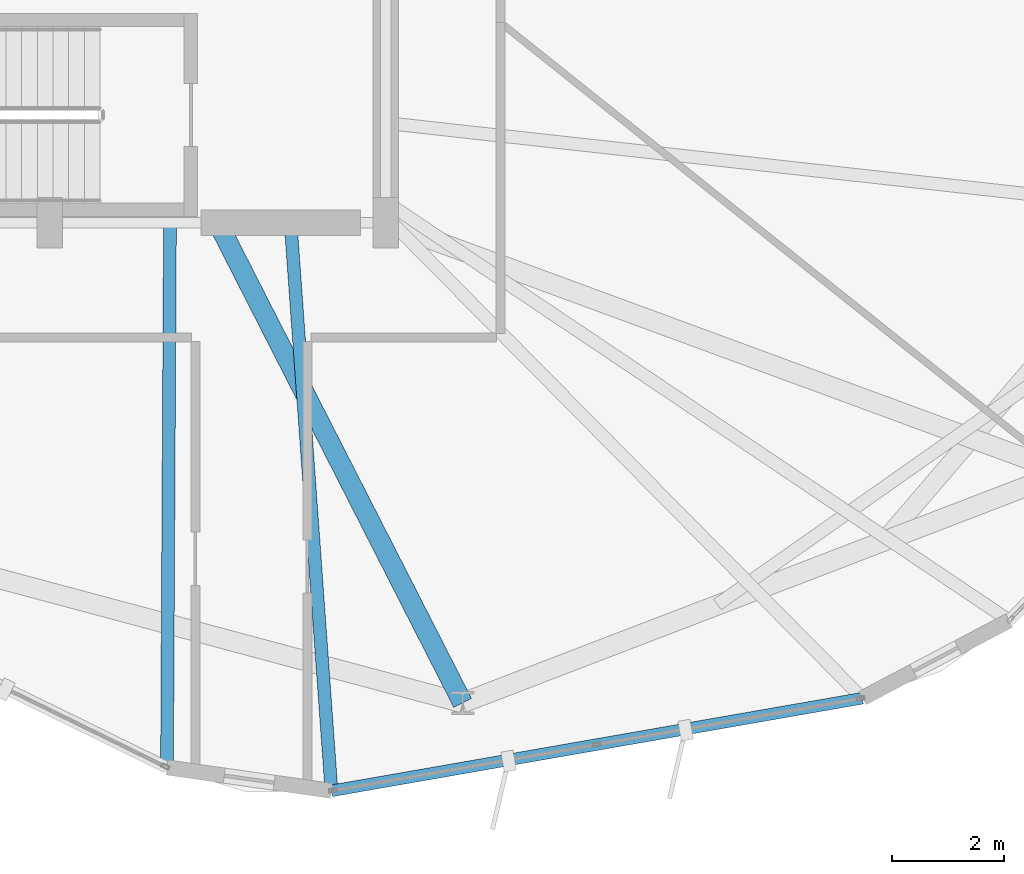
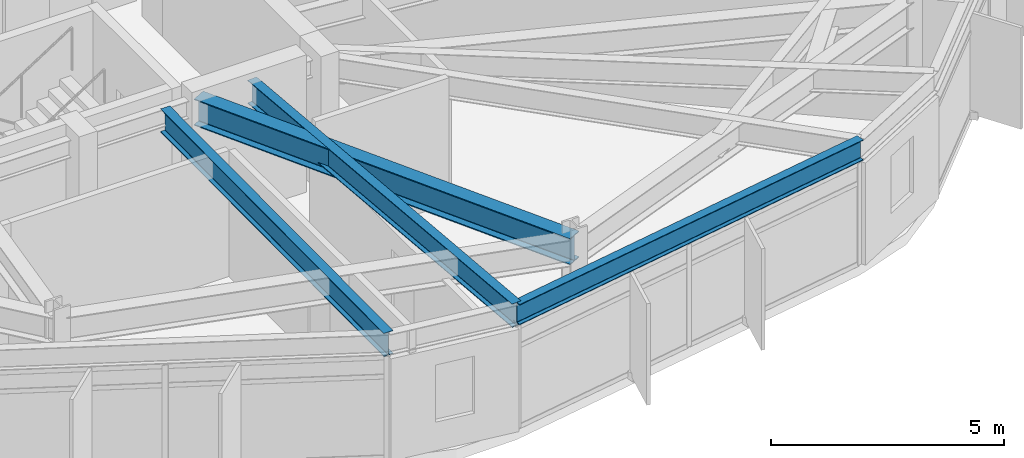
# One storey, part 6 of 28: 4 beams.
"""IFC4 building model written with IfcOpenShell, lengths in metres."""

from ifc_helpers import new_model, si_unit, direction, frame, origin, origin_2d, place, context, subcontext, project, spatial, i_section, extrude, material, material_profile, profile_set, type_object, element, save


model = new_model("IFC4")

# Units and contexts
model_context = context("Model", 3, precision=1e-05, world=origin(), true_north=direction((0.0, 1.0)))
body_context = subcontext(model_context, "Body", "Model", "MODEL_VIEW")
ifc_project = project(units=[si_unit("LENGTHUNIT", "METRE"), si_unit("AREAUNIT", "SQUARE_METRE"), si_unit("VOLUMEUNIT", "CUBIC_METRE"), si_unit("PLANEANGLEUNIT", "RADIAN"), si_unit("MASSUNIT", "GRAM", prefix="KILO")], contexts=[model_context])

# Site, building, storey
site_placement = place(None, origin())
site = spatial("IfcSite", under=ifc_project, at=site_placement, CompositionType="ELEMENT")
building_placement = place(site_placement, origin())
building = spatial("IfcBuilding", under=site, at=building_placement, Name="Soratama Intermodal Tower", CompositionType="ELEMENT")
storey_placement = place(building_placement, frame((0.0, 0.0, 201.39990234375)))
storey = spatial("IfcBuildingStorey", under=building, at=storey_placement, Name="L50", CompositionType="ELEMENT", Elevation=201.39990234375)

# Beams
ifc_material_1 = material(Name="Structural steel ASTM A992 Grade 50", Category="steel")
ifc_material_profile_1 = material_profile(ifc_material_1, i_section(OverallWidth=0.35498046875, OverallDepth=0.695068359375, WebThickness=0.015380859375, FlangeThickness=0.02490234375, FilletRadius=0.01611328125, at=origin_2d()), Name="W27X146")
ifc_profile_set_1 = profile_set([ifc_material_profile_1], Name="Structural steel ASTM A992 Grade 50")
beam_type_1 = type_object("IfcBeamType", Name="BM-RING-W27X146", PredefinedType="BEAM", material=ifc_profile_set_1)
beam_1_placement = place(storey_placement, frame((41.60009765625, 15.0, 2.95263671875), z_axis=(0.454332323157, -0.890832273851, 0.0), x_axis=(0.890832273851, 0.454332323157, 0.0)))
element("IfcBeam", 1, at=beam_1_placement, inside=storey, type_object=beam_type_1, Name="BM-L50-RAD-08", PredefinedType="BEAM", context=body_context, shape_type="SweptSolid", body=[
    extrude(i_section(OverallWidth=0.35498046875, OverallDepth=0.695068359375, WebThickness=0.015380859375, FlangeThickness=0.02490234375, FilletRadius=0.01611328125, at=origin_2d()), origin(), (0.0, 0.0, 1.0), 9.624755859375),
])
ifc_material_2 = material(Name="Structural steel ASTM A992 Grade 50", Category="steel")
ifc_material_profile_2 = material_profile(ifc_material_2, i_section(OverallWidth=0.2099609375, OverallDepth=0.537109375, WebThickness=0.010986328125, FlangeThickness=0.017333984375, FilletRadius=0.012939453125, at=origin_2d()), Name="W21X68")
ifc_profile_set_2 = profile_set([ifc_material_profile_2], Name="Structural steel ASTM A992 Grade 50")
beam_type_2 = type_object("IfcBeamType", Name="BM-SPN-W21X68", PredefinedType="SPANDREL", material=ifc_profile_set_2)
beam_2_placement = place(storey_placement, frame((43.631103515625, 4.85498046875, 3.031494140625), z_axis=(0.985120572097, 0.17186465149, 0.0), x_axis=(-0.17186465149, 0.985120572097, 0.0)))
element("IfcBeam", 2, at=beam_2_placement, inside=storey, type_object=beam_type_2, Name="BS-L50-F07", PredefinedType="SPANDREL", context=body_context, shape_type="SweptSolid", body=[
    extrude(i_section(OverallWidth=0.2099609375, OverallDepth=0.537109375, WebThickness=0.010986328125, FlangeThickness=0.017333984375, FilletRadius=0.012939453125, at=origin_2d()), origin(), (0.0, 0.0, 1.0), 9.624267578125),
])
ifc_material_3 = material(Name="Structural steel ASTM A992 Grade 50", Category="steel")
ifc_material_profile_3 = material_profile(ifc_material_3, i_section(OverallWidth=0.22900390625, OverallDepth=0.612060546875, WebThickness=0.011962890625, FlangeThickness=0.01953125, FilletRadius=0.012939453125, at=origin_2d()), Name="W24X84")
ifc_profile_set_3 = profile_set([ifc_material_profile_3], Name="Structural steel ASTM A992 Grade 50")
beam_type_3 = type_object("IfcBeamType", Name="BM-TIE-W24X84", PredefinedType="BEAM", material=ifc_profile_set_3)
beam_3_placement = place(storey_placement, frame((40.7470703125, 14.9599609375, 2.994140625), z_axis=(-0.005468943868, -0.999985045215, 0.0), x_axis=(0.999985045215, -0.005468943868, 0.0)))
element("IfcBeam", 3, at=beam_3_placement, inside=storey, type_object=beam_type_3, Name="BM-L50-TIE1-06", PredefinedType="BEAM", context=body_context, shape_type="SweptSolid", body=[
    extrude(i_section(OverallWidth=0.22900390625, OverallDepth=0.612060546875, WebThickness=0.011962890625, FlangeThickness=0.01953125, FilletRadius=0.012939453125, at=origin_2d()), origin(), (0.0, 0.0, 1.0), 9.687255859375),
])
beam_4_placement = place(storey_placement, frame((42.904052734375, 14.9599609375, 2.994140625), z_axis=(0.071764232776, -0.997421623434, 0.0), x_axis=(0.997421623434, 0.071764232776, 0.0)))
element("IfcBeam", 4, at=beam_4_placement, inside=storey, type_object=beam_type_3, Name="BM-L50-TIE0-07", PredefinedType="BEAM", context=body_context, shape_type="SweptSolid", body=[
    extrude(i_section(OverallWidth=0.22900390625, OverallDepth=0.612060546875, WebThickness=0.011962890625, FlangeThickness=0.01953125, FilletRadius=0.012939453125, at=origin_2d()), origin(), (0.0, 0.0, 1.0), 10.131103515625),
])

save(model, "model.ifc")
